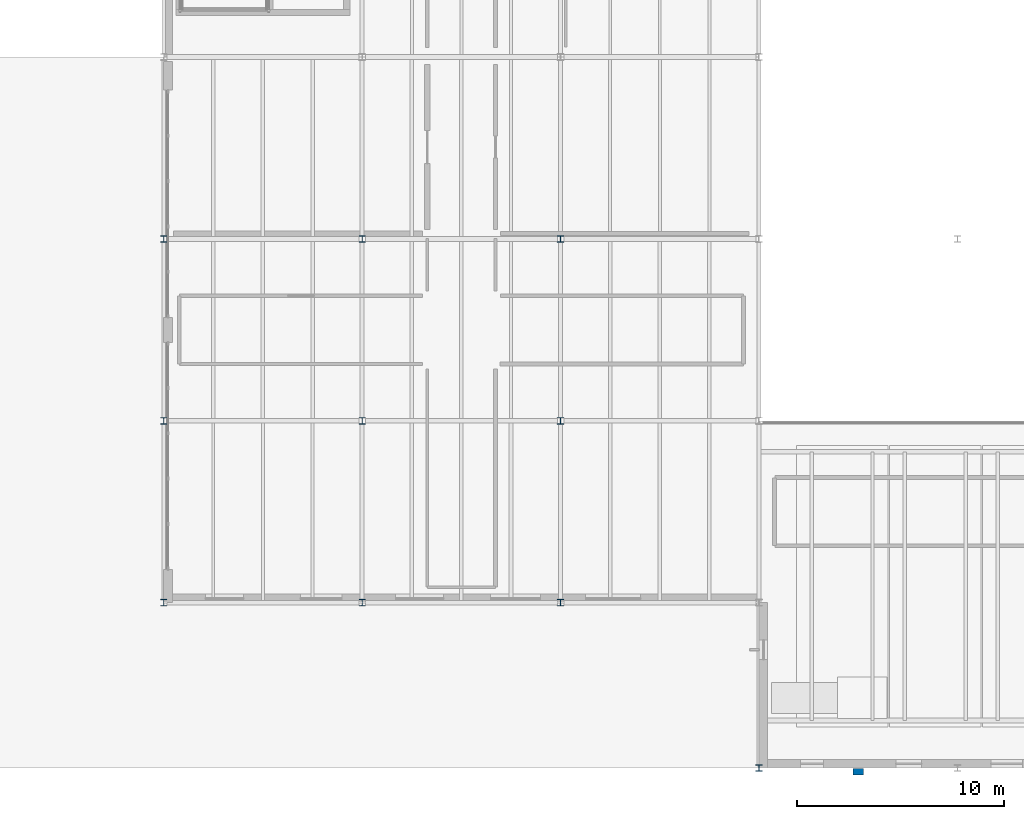
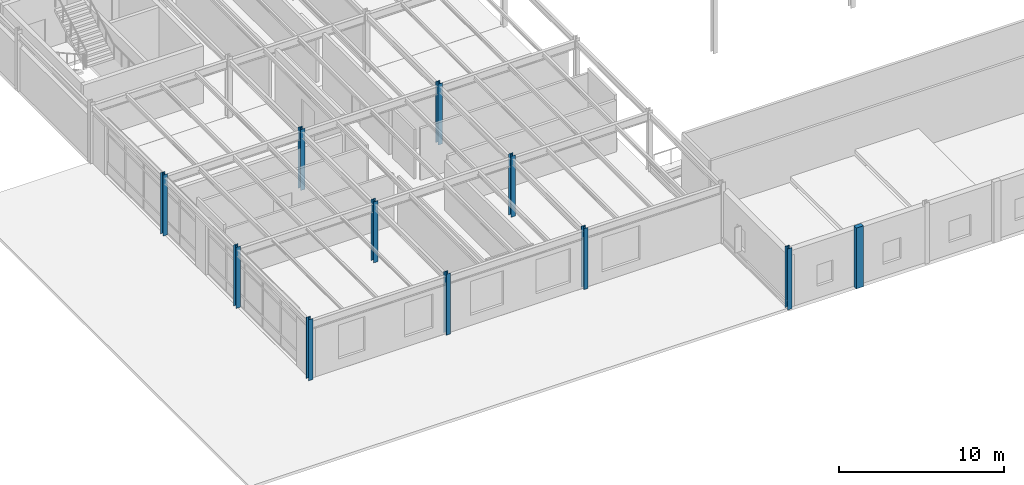
# One storey, part 1 of 77: 11 columns.
"""IFC4 building model written with IfcOpenShell, lengths in metres."""

from ifc_helpers import new_model, si_unit, direction, frame, origin, origin_2d, place, context, subcontext, project, spatial, rectangle, i_section, extrude, material, material_profile, profile_set, type_object, element, save


model = new_model("IFC4")

# Units and contexts
model_context = context("Model", 3, precision=1e-05, world=origin(), true_north=direction((0.0, 1.0)))
body_context = subcontext(model_context, "Body", "Model", "MODEL_VIEW")
ifc_project = project(units=[si_unit("LENGTHUNIT", "METRE"), si_unit("AREAUNIT", "SQUARE_METRE"), si_unit("VOLUMEUNIT", "CUBIC_METRE"), si_unit("PLANEANGLEUNIT", "RADIAN"), si_unit("MASSUNIT", "GRAM", prefix="KILO")], contexts=[model_context])

# Site, building, storey
site_placement = place(None, origin())
site = spatial("IfcSite", under=ifc_project, at=site_placement, CompositionType="ELEMENT")
building_placement = place(site_placement, origin())
building = spatial("IfcBuilding", under=site, at=building_placement, Name="Sarnbrook Museum", CompositionType="ELEMENT")
storey_placement = place(building_placement, frame((0.0, 0.0, 5.60009765625)))
storey = spatial("IfcBuildingStorey", under=building, at=storey_placement, Name="L01", CompositionType="ELEMENT", Elevation=5.60009765625)

# Columns
ifc_material_1 = material(Name="Structural Steel Grade 300PLUS (AS/NZS 3679.1, fy = 280 MPa for 17 < t <= 40 mm, 300 MPa for t <= 17 mm)", Category="steel")
ifc_material_profile_1 = material_profile(ifc_material_1, i_section(OverallWidth=0.306884765625, OverallDepth=0.31494140625, WebThickness=0.011962890625, FlangeThickness=0.018798828125, FilletRadius=0.0166015625, at=origin_2d()), Name="310UC118")
ifc_profile_set_1 = profile_set([ifc_material_profile_1], Name="Structural Steel Grade 300PLUS (AS/NZS 3679.1, fy = 280 MPa for 17 < t <= 40 mm, 300 MPa for t <= 17 mm)")
column_type_1 = type_object("IfcColumnType", Name="COL-UC310", PredefinedType="COLUMN", material=ifc_profile_set_1)
for number, where, z_axis, x_axis, name in (
    (1, (13.60009765625, 12.800048828125, 0.0), (0.0, 0.0, 1.0), (1.0, 0.0, 0.0), "Column 2-B L01"),
    (2, (13.60009765625, 21.60009765625, 0.0), (0.0, 0.0, 1.0), (1.0, 0.0, 0.0), "Column 2-C L01"),
    (3, (13.60009765625, 30.39990234375, 0.0), (0.0, 0.0, 1.0), (1.0, 0.0, 0.0), "Column 2-D L01"),
    (4, (23.199951171875, 12.800048828125, 0.0), (0.0, 0.0, 1.0), (1.0, 0.0, 0.0), "Column 3-B L01"),
    (5, (23.199951171875, 21.60009765625, 0.0), (0.0, 0.0, 1.0), (1.0, 0.0, 0.0), "Column 3-C L01"),
    (6, (23.199951171875, 30.39990234375, 0.0), (0.0, 0.0, 1.0), (1.0, 0.0, 0.0), "Column 3-D L01"),
    (7, (32.800048828125, 12.800048828125, 0.0), (0.0, 0.0, 1.0), (1.0, 0.0, 0.0), "Column 4-B L01"),
    (8, (32.800048828125, 21.60009765625, 0.0), (0.0, 0.0, 1.0), (1.0, 0.0, 0.0), "Column 4-C L01"),
    (9, (32.800048828125, 30.39990234375, 0.0), (0.0, 0.0, 1.0), (1.0, 0.0, 0.0), "Column 4-D L01"),
):
    element("IfcColumn", number, at=place(storey_placement, frame(where, z_axis=z_axis, x_axis=x_axis)), inside=storey, type_object=column_type_1, Name=name, PredefinedType="COLUMN", context=body_context, shape_type="SweptSolid", body=[
        extrude(i_section(OverallWidth=0.306884765625, OverallDepth=0.31494140625, WebThickness=0.011962890625, FlangeThickness=0.018798828125, FilletRadius=0.0166015625, at=origin_2d()), origin(), (0.0, 0.0, 1.0), 4.5),
    ])
ifc_material_profile_2 = material_profile(ifc_material_1, i_section(OverallWidth=0.31103515625, OverallDepth=0.326904296875, WebThickness=0.015625, FlangeThickness=0.02490234375, FilletRadius=0.0166015625, at=origin_2d()), Name="310UC158")
ifc_profile_set_2 = profile_set([ifc_material_profile_2], Name="Structural Steel Grade 300PLUS (AS/NZS 3679.1, fy = 280 MPa for 17 < t <= 40 mm, 300 MPa for t <= 17 mm)")
column_type_2 = type_object("IfcColumnType", Name="COL-UC310H", PredefinedType="COLUMN", material=ifc_profile_set_2)
column_1_placement = place(storey_placement, frame((42.39990234375, 4.800048828125, 0.0), z_axis=(0.0, 0.0, 1.0), x_axis=(1.0, 0.0, 0.0)))
element("IfcColumn", 10, at=column_1_placement, inside=storey, type_object=column_type_2, Name="Column 5-A L01", PredefinedType="COLUMN", context=body_context, shape_type="SweptSolid", body=[
    extrude(i_section(OverallWidth=0.31103515625, OverallDepth=0.326904296875, WebThickness=0.015625, FlangeThickness=0.02490234375, FilletRadius=0.0166015625, at=origin_2d()), origin(), (0.0, 0.0, 1.0), 4.5),
])
ifc_material_2 = material(Name="Concrete N40 (AS 3600, f'c = 40 MPa)", Category="concrete")
ifc_material_profile_3 = material_profile(ifc_material_2, rectangle(XDim=0.5, YDim=0.300048828125, at=origin_2d()), Name="PILASTER 500x300")
ifc_profile_set_3 = profile_set([ifc_material_profile_3], Name="Concrete N40 (AS 3600, f'c = 40 MPa)")
column_type_3 = type_object("IfcColumnType", Name="PIL-500x300", PredefinedType="PILASTER", material=ifc_profile_set_3)
column_2_placement = place(storey_placement, frame((47.199951171875, 4.6201171875, 0.0), z_axis=(0.0, 0.0, 1.0), x_axis=(1.0, 0.0, 0.0)))
element("IfcColumn", 11, at=column_2_placement, inside=storey, type_object=column_type_3, Name="Sandstone Classical Pilaster P-S1 L01", PredefinedType="PILASTER", context=body_context, shape_type="SweptSolid", body=[
    extrude(rectangle(XDim=0.5, YDim=0.300048828125, at=origin_2d()), origin(), (0.0, 0.0, 1.0), 4.5),
])

save(model, "model.ifc")
